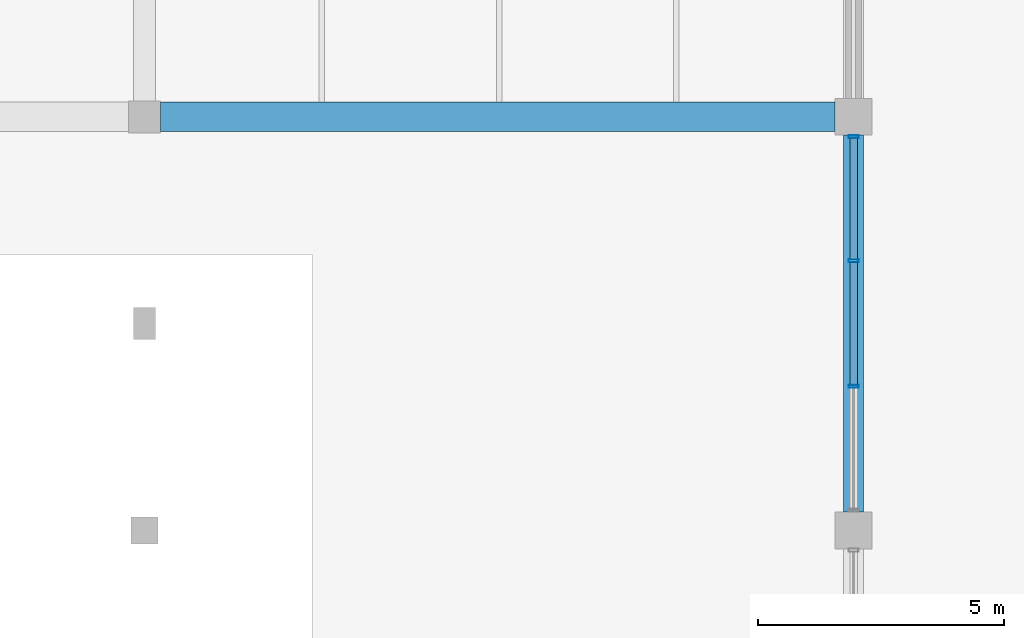
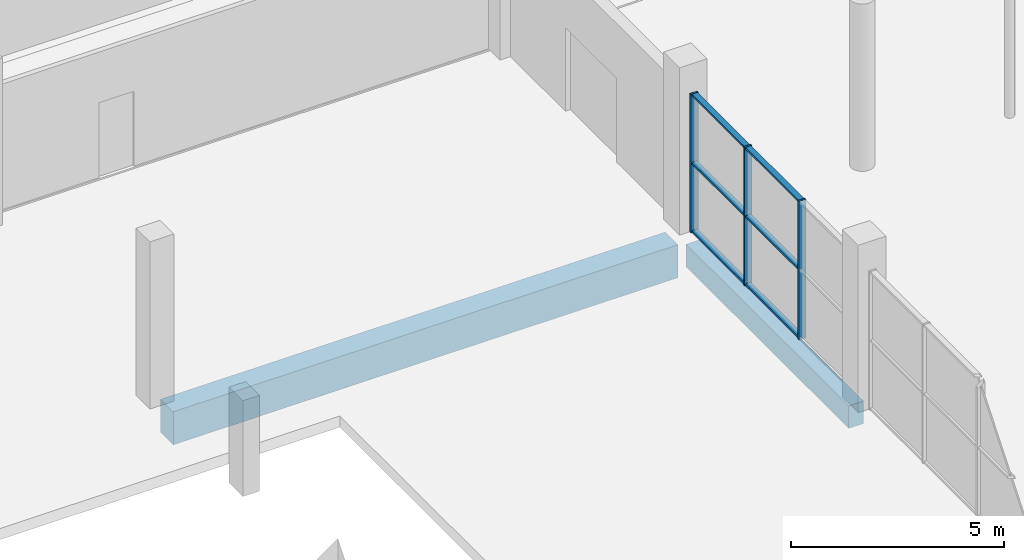
# One storey, part 54 of 130: 9 members, 2 beams, 1 element without a shape of its own.
"""IFC4 building model written with IfcOpenShell, lengths in metres."""

from ifc_helpers import new_model, si_unit, direction, frame, origin, origin_2d, place, context, subcontext, project, spatial, rectangle, hollow_rectangle, extrude, material, material_profile, profile_set, type_object, element, aggregate, save


model = new_model("IFC4")

# Units and contexts
model_context = context("Model", 3, precision=1e-05, world=origin(), true_north=direction((0.0, 1.0)))
body_context = subcontext(model_context, "Body", "Model", "MODEL_VIEW")
ifc_project = project(units=[si_unit("LENGTHUNIT", "METRE"), si_unit("AREAUNIT", "SQUARE_METRE"), si_unit("VOLUMEUNIT", "CUBIC_METRE"), si_unit("PLANEANGLEUNIT", "RADIAN"), si_unit("MASSUNIT", "GRAM", prefix="KILO"), si_unit("THERMODYNAMICTEMPERATUREUNIT", "KELVIN")], contexts=[model_context])

# Site, building, storey
site_placement = place(None, origin())
site = spatial("IfcSite", under=ifc_project, at=site_placement, CompositionType="ELEMENT")
building_placement = place(site_placement, origin())
building = spatial("IfcBuilding", under=site, at=building_placement, Name="Nduvali Passage Aquatics Centre", CompositionType="ELEMENT")
storey_placement = place(building_placement, origin())
storey = spatial("IfcBuildingStorey", under=building, at=storey_placement, Name="L00", CompositionType="ELEMENT", Elevation=0.0)

# Curtain wall, members
ifc_material_1 = material(Name="Aluminium EN AW-6063 T6", Category="aluminium")
curtain_wall_type = type_object("IfcCurtainWallType", Name="ENV-CW-HALL", PredefinedType="NOTDEFINED", material=ifc_material_1)
curtain_wall_placement = place(storey_placement, origin())
curtain_wall = element("IfcCurtainWall", 1, at=curtain_wall_placement, inside=storey, type_object=curtain_wall_type, Name="L00 East Passage Pool Hall Lower Glazing 037", PredefinedType="NOTDEFINED")
ifc_material_profile_1 = material_profile(ifc_material_1, hollow_rectangle(XDim=0.06005859375, YDim=0.199951171875, WallThickness=0.00390625, at=origin_2d()), Name="ALU MULLION 60x200x4")
ifc_profile_set_1 = profile_set([ifc_material_profile_1], Name="Aluminium EN AW-6063 T6")
member_type_1 = type_object("IfcMemberType", Name="ENV-MEM-MUL80", PredefinedType="MULLION", material=ifc_profile_set_1)
member_1_placement = place(storey_placement, frame((126.0, 78.52490234375, 0.0), z_axis=(0.0, 0.0, 1.0), x_axis=(0.0, 1.0, 0.0)))
member_1 = element("IfcMember", 2, at=member_1_placement, type_object=member_type_1, Name="East Passage Pool Hall Lower Glazing Mullion 2", PredefinedType="MULLION", context=body_context, shape_type="SweptSolid", body=[
    extrude(hollow_rectangle(XDim=0.06005859375, YDim=0.199951171875, WallThickness=0.00390625, at=origin_2d()), origin(), (0.0, 0.0, 1.0), 3.976318359375),
])
member_2_placement = place(storey_placement, frame((126.0, 81.074951171875, 0.0), z_axis=(0.0, 0.0, 1.0), x_axis=(0.0, 1.0, 0.0)))
member_2 = element("IfcMember", 3, at=member_2_placement, type_object=member_type_1, Name="East Passage Pool Hall Lower Glazing Mullion 3", PredefinedType="MULLION", context=body_context, shape_type="SweptSolid", body=[
    extrude(hollow_rectangle(XDim=0.06005859375, YDim=0.199951171875, WallThickness=0.00390625, at=origin_2d()), origin(), (0.0, 0.0, 1.0), 3.976318359375),
])
member_3_placement = place(storey_placement, frame((126.0, 83.594970703125, 0.0), z_axis=(0.0, 0.0, 1.0), x_axis=(0.0, 1.0, 0.0)))
member_3 = element("IfcMember", 4, at=member_3_placement, type_object=member_type_1, Name="East Passage Pool Hall Lower Glazing Mullion 4", PredefinedType="MULLION", context=body_context, shape_type="SweptSolid", body=[
    extrude(hollow_rectangle(XDim=0.06005859375, YDim=0.199951171875, WallThickness=0.00390625, at=origin_2d()), origin(), (0.0, 0.0, 1.0), 3.976318359375),
])
ifc_material_profile_2 = material_profile(ifc_material_1, hollow_rectangle(XDim=0.14990234375, YDim=0.06005859375, WallThickness=0.00390625, at=origin_2d()), Name="ALU TRANSOM 150x60x4")
ifc_profile_set_2 = profile_set([ifc_material_profile_2], Name="Aluminium EN AW-6063 T6")
member_type_2 = type_object("IfcMemberType", Name="ENV-MEM-TRN80", PredefinedType="USERDEFINED", material=ifc_profile_set_2)
member_4_placement = place(storey_placement, frame((126.0, 78.554931640625, 0.030029296875), z_axis=(0.0, 1.0, 0.0), x_axis=(-1.0, 0.0, 0.0)))
member_4 = element("IfcMember", 5, at=member_4_placement, type_object=member_type_2, Name="East Passage Pool Hall Lower Glazing Transom B2-R0", ObjectType="TRANSOM", PredefinedType="USERDEFINED", context=body_context, shape_type="SweptSolid", body=[
    extrude(hollow_rectangle(XDim=0.14990234375, YDim=0.06005859375, WallThickness=0.00390625, at=origin_2d()), origin(), (0.0, 0.0, 1.0), 2.489990234375),
])
member_5_placement = place(storey_placement, frame((126.0, 78.554931640625, 1.98828125), z_axis=(0.0, 1.0, 0.0), x_axis=(-1.0, 0.0, 0.0)))
member_5 = element("IfcMember", 6, at=member_5_placement, type_object=member_type_2, Name="East Passage Pool Hall Lower Glazing Transom B2-R1", ObjectType="TRANSOM", PredefinedType="USERDEFINED", context=body_context, shape_type="SweptSolid", body=[
    extrude(hollow_rectangle(XDim=0.14990234375, YDim=0.06005859375, WallThickness=0.00390625, at=origin_2d()), origin(), (0.0, 0.0, 1.0), 2.489990234375),
])
member_6_placement = place(storey_placement, frame((126.0, 78.554931640625, 3.9462890625), z_axis=(0.0, 1.0, 0.0), x_axis=(-1.0, 0.0, 0.0)))
member_6 = element("IfcMember", 7, at=member_6_placement, type_object=member_type_2, Name="East Passage Pool Hall Lower Glazing Transom B2-R2", ObjectType="TRANSOM", PredefinedType="USERDEFINED", context=body_context, shape_type="SweptSolid", body=[
    extrude(hollow_rectangle(XDim=0.14990234375, YDim=0.06005859375, WallThickness=0.00390625, at=origin_2d()), origin(), (0.0, 0.0, 1.0), 2.489990234375),
])
member_7_placement = place(storey_placement, frame((126.0, 81.10498046875, 0.030029296875), z_axis=(0.0, 1.0, 0.0), x_axis=(-1.0, 0.0, 0.0)))
member_7 = element("IfcMember", 8, at=member_7_placement, type_object=member_type_2, Name="East Passage Pool Hall Lower Glazing Transom B3-R0", ObjectType="TRANSOM", PredefinedType="USERDEFINED", context=body_context, shape_type="SweptSolid", body=[
    extrude(hollow_rectangle(XDim=0.14990234375, YDim=0.06005859375, WallThickness=0.00390625, at=origin_2d()), origin(), (0.0, 0.0, 1.0), 2.4599609375),
])
member_8_placement = place(storey_placement, frame((126.0, 81.10498046875, 1.98828125), z_axis=(0.0, 1.0, 0.0), x_axis=(-1.0, 0.0, 0.0)))
member_8 = element("IfcMember", 9, at=member_8_placement, type_object=member_type_2, Name="East Passage Pool Hall Lower Glazing Transom B3-R1", ObjectType="TRANSOM", PredefinedType="USERDEFINED", context=body_context, shape_type="SweptSolid", body=[
    extrude(hollow_rectangle(XDim=0.14990234375, YDim=0.06005859375, WallThickness=0.00390625, at=origin_2d()), origin(), (0.0, 0.0, 1.0), 2.4599609375),
])
member_9_placement = place(storey_placement, frame((126.0, 81.10498046875, 3.9462890625), z_axis=(0.0, 1.0, 0.0), x_axis=(-1.0, 0.0, 0.0)))
member_9 = element("IfcMember", 10, at=member_9_placement, type_object=member_type_2, Name="East Passage Pool Hall Lower Glazing Transom B3-R2", ObjectType="TRANSOM", PredefinedType="USERDEFINED", context=body_context, shape_type="SweptSolid", body=[
    extrude(hollow_rectangle(XDim=0.14990234375, YDim=0.06005859375, WallThickness=0.00390625, at=origin_2d()), origin(), (0.0, 0.0, 1.0), 2.4599609375),
])
aggregate(curtain_wall, [member_1, member_2, member_3, member_4, member_5, member_6, member_7, member_8, member_9])

# Beams
ifc_material_2 = material(Name="Concrete C40/50", Category="concrete")
ifc_material_profile_3 = material_profile(ifc_material_2, rectangle(XDim=0.60009765625, YDim=0.949951171875, at=origin_2d()), Name="RC 600x950")
ifc_profile_set_3 = profile_set([ifc_material_profile_3], Name="Concrete C40/50")
beam_type_1 = type_object("IfcBeamType", Name="STR-BM-RC6095", PredefinedType="BEAM", material=ifc_profile_set_3)
beam_1_placement = place(storey_placement, frame((111.925048828125, 84.0, -0.794921875), z_axis=(1.0, 0.0, 0.0), x_axis=(0.0, 1.0, 0.0)))
element("IfcBeam", 11, at=beam_1_placement, inside=storey, type_object=beam_type_1, Name="L00 Primary X-Girder B1-0081", PredefinedType="BEAM", context=body_context, shape_type="SweptSolid", body=[
    extrude(rectangle(XDim=0.60009765625, YDim=0.949951171875, at=origin_2d()), origin(), (0.0, 0.0, 1.0), 13.699951171875),
])
ifc_material_profile_4 = material_profile(ifc_material_2, rectangle(XDim=0.39990234375, YDim=0.64990234375, at=origin_2d()), Name="RC 400x650")
ifc_profile_set_4 = profile_set([ifc_material_profile_4], Name="Concrete C40/50")
beam_type_2 = type_object("IfcBeamType", Name="STR-SPN-RC4065-EXT", PredefinedType="SPANDREL", material=ifc_profile_set_4)
beam_2_placement = place(storey_placement, frame((126.0, 75.97509765625, -0.64501953125), z_axis=(0.0, 1.0, 0.0), x_axis=(-1.0, 0.0, 0.0)))
element("IfcBeam", 12, at=beam_2_placement, inside=storey, type_object=beam_type_2, Name="L00 Primary Y-Girder SP1E-0196", PredefinedType="SPANDREL", context=body_context, shape_type="SweptSolid", body=[
    extrude(rectangle(XDim=0.39990234375, YDim=0.64990234375, at=origin_2d()), origin(), (0.0, 0.0, 1.0), 7.64990234375),
])

save(model, "model.ifc")
